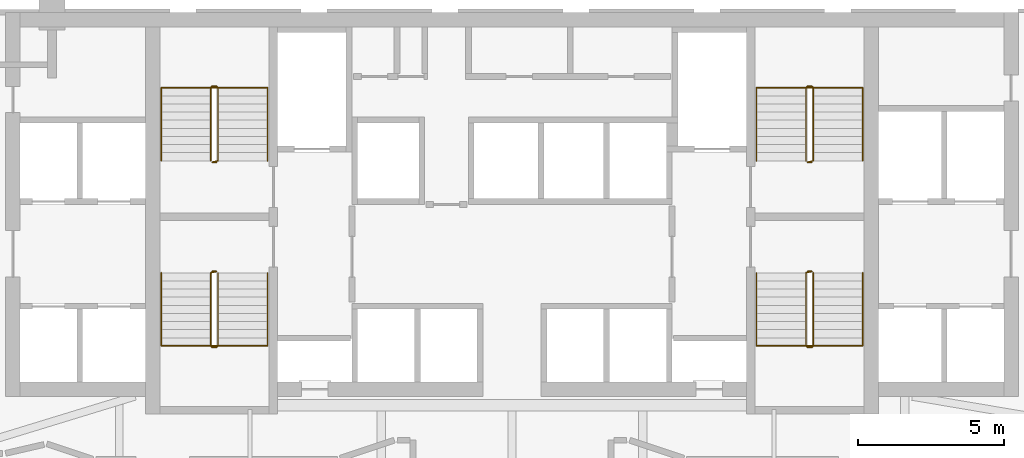
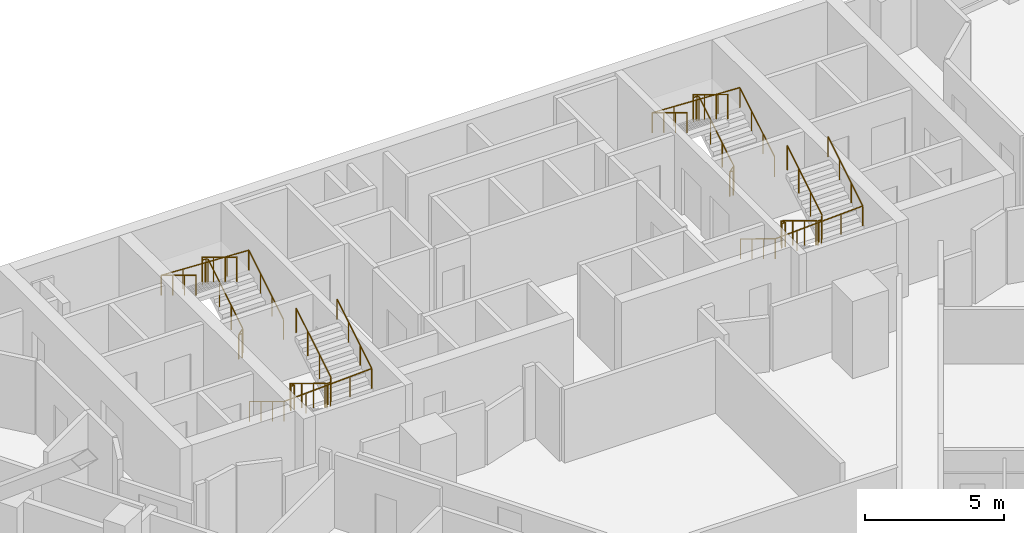
# One storey, part 10 of 10: 8 railings.
"""IFC4 building model written with IfcOpenShell, lengths in metres."""

from ifc_helpers import new_model, si_unit, direction, frame, origin, origin_2d, place, context, subcontext, project, spatial, circle, extrude, material, type_object, element, save


model = new_model("IFC4")

# Units and contexts
model_context = context("Model", 3, precision=1e-05, world=origin(), true_north=direction((0.0, 1.0)))
body_context = subcontext(model_context, "Body", "Model", "MODEL_VIEW")
ifc_project = project(units=[si_unit("LENGTHUNIT", "METRE"), si_unit("AREAUNIT", "SQUARE_METRE"), si_unit("VOLUMEUNIT", "CUBIC_METRE"), si_unit("PLANEANGLEUNIT", "RADIAN"), si_unit("MASSUNIT", "GRAM", prefix="KILO")], contexts=[model_context])

# Site, building, storey
site_placement = place(None, origin())
site = spatial("IfcSite", under=ifc_project, at=site_placement, CompositionType="ELEMENT")
building_placement = place(site_placement, origin())
building = spatial("IfcBuilding", under=site, at=building_placement, Name="Calabash Gate Tower", CompositionType="ELEMENT")
storey_placement = place(building_placement, frame((0.0, 0.0, 91.800048828125)))
storey = spatial("IfcBuildingStorey", under=building, at=storey_placement, Name="L19", CompositionType="ELEMENT", Elevation=91.800048828125)

# Railings
ifc_material_1 = material(Name="Black powder-coated steel balusters", Category="steel")
railing_type_1 = type_object("IfcRailingType", Name="Stair guard RL1100", PredefinedType="GUARDRAIL", material=ifc_material_1)
railing_1_placement = place(storey_placement, frame((-10.14990234375, 13.902587890625, 0.0)))
element("IfcRailing", 1, at=railing_1_placement, inside=storey, type_object=railing_type_1, Name="L19 ST1 stair guard 1", PredefinedType="GUARDRAIL", context=body_context, shape_type="SweptSolid", body=[
    extrude(circle(Radius=0.02392578125, at=origin_2d()), frame((0.0, 0.0, 1.076171875), z_axis=(-1.0, 0.0, 0.0), x_axis=(0.0, -1.0, 0.0)), (0.0, 0.0, 1.0), 0.150146484375),
    extrude(circle(Radius=0.02392578125, at=origin_2d()), frame((-0.150146484375, 0.0, 1.076171875), z_axis=(0.748514443355, 0.187357095101, 0.636100186295), x_axis=(-0.242814311512, 0.970072785993, 0.0)), (0.0, 0.0, 1.0), 0.26708984375),
    extrude(circle(Radius=0.02392578125, at=origin_2d()), frame((0.0498046875, 0.050048828125, 1.24609375), z_axis=(0.0, 0.853956361026, 0.520344629514), x_axis=(-1.0, 0.0, 0.0)), (0.0, 0.0, 1.0), 2.9404296875),
    extrude(circle(Radius=0.02392578125, at=origin_2d()), frame((0.0498046875, 2.56103515625, 2.77587890625), z_axis=(-0.705375805398, 0.708833529934, 0.0), x_axis=(-0.708833529934, -0.705375805398, 0.0)), (0.0, 0.0, 1.0), 0.070556640625),
    extrude(circle(Radius=0.02392578125, at=origin_2d()), frame((0.0, 2.611083984375, 2.77587890625), z_axis=(-1.0, 0.0, 0.0), x_axis=(0.0, -1.0, 0.0)), (0.0, 0.0, 1.0), 0.150146484375),
    extrude(circle(Radius=0.02392578125, at=origin_2d()), frame((-0.150146484375, 2.611083984375, 2.77587890625), z_axis=(-0.271895245746, -0.271895245746, 0.923117517265), x_axis=(0.707106781187, -0.707106781187, 0.0)), (0.0, 0.0, 1.0), 0.18408203125),
    extrude(circle(Radius=0.02392578125, at=origin_2d()), frame((-0.2001953125, 2.56103515625, 2.94580078125), z_axis=(0.0, -0.853956361026, 0.520344629514), x_axis=(1.0, 0.0, 0.0)), (0.0, 0.0, 1.0), 2.9404296875),
    extrude(circle(Radius=0.02099609375, at=origin_2d()), origin(), (0.0, 0.0, 1.0), 1.052001953125),
    extrude(circle(Radius=0.02099609375, at=origin_2d()), frame((-0.150146484375, 0.0, 0.0)), (0.0, 0.0, 1.0), 1.052001953125),
    extrude(circle(Radius=0.02099609375, at=origin_2d()), frame((0.0498046875, 0.050048828125, 0.169921875)), (0.0, 0.0, 1.0), 1.052001953125),
    extrude(circle(Radius=0.02099609375, at=origin_2d()), frame((0.0498046875, 0.886962890625, 0.679931640625)), (0.0, 0.0, 1.0), 1.052001953125),
    extrude(circle(Radius=0.02099609375, at=origin_2d()), frame((0.0498046875, 1.72412109375, 1.18994140625)), (0.0, 0.0, 1.0), 1.052001953125),
    extrude(circle(Radius=0.02099609375, at=origin_2d()), frame((0.0498046875, 2.56103515625, 1.699951171875)), (0.0, 0.0, 1.0), 1.052001953125),
    extrude(circle(Radius=0.02099609375, at=origin_2d()), frame((0.0, 2.611083984375, 1.699951171875)), (0.0, 0.0, 1.0), 1.052001953125),
    extrude(circle(Radius=0.02099609375, at=origin_2d()), frame((-0.150146484375, 2.611083984375, 1.699951171875)), (0.0, 0.0, 1.0), 1.052001953125),
    extrude(circle(Radius=0.02099609375, at=origin_2d()), frame((-0.2001953125, 2.56103515625, 1.869873046875)), (0.0, 0.0, 1.0), 1.052001953125),
    extrude(circle(Radius=0.02099609375, at=origin_2d()), frame((-0.2001953125, 1.72412109375, 2.3798828125)), (0.0, 0.0, 1.0), 1.052001953125),
    extrude(circle(Radius=0.02099609375, at=origin_2d()), frame((-0.2001953125, 0.886962890625, 2.889892578125)), (0.0, 0.0, 1.0), 1.052001953125),
    extrude(circle(Radius=0.02099609375, at=origin_2d()), frame((-0.2001953125, 0.050048828125, 3.39990234375)), (0.0, 0.0, 1.0), 1.052001953125),
])
railing_2_placement = place(storey_placement, frame((-10.300048828125, 10.152587890625, 0.0)))
element("IfcRailing", 2, at=railing_2_placement, inside=storey, type_object=railing_type_1, Name="L19 ST2 stair guard 1", PredefinedType="GUARDRAIL", context=body_context, shape_type="SweptSolid", body=[
    extrude(circle(Radius=0.02392578125, at=origin_2d()), frame((0.0, 0.0, 1.076171875), z_axis=(1.0, 0.0, 0.0), x_axis=(0.0, 1.0, 0.0)), (0.0, 0.0, 1.0), 0.150146484375),
    extrude(circle(Radius=0.02392578125, at=origin_2d()), frame((0.150146484375, 0.0, 1.076171875), z_axis=(-0.748915913269, -0.187228978317, 0.635665214189), x_axis=(0.242535625036, -0.970142500145, 0.0)), (0.0, 0.0, 1.0), 0.267333984375),
    extrude(circle(Radius=0.02392578125, at=origin_2d()), frame((-0.050048828125, -0.050048828125, 1.24609375), z_axis=(0.0, -0.853956361026, 0.520344629514), x_axis=(1.0, 0.0, 0.0)), (0.0, 0.0, 1.0), 2.9404296875),
    extrude(circle(Radius=0.02392578125, at=origin_2d()), frame((-0.050048828125, -2.56103515625, 2.77587890625), z_axis=(0.707106781187, -0.707106781187, 0.0), x_axis=(0.707106781187, 0.707106781187, 0.0)), (0.0, 0.0, 1.0), 0.07080078125),
    extrude(circle(Radius=0.02392578125, at=origin_2d()), frame((0.0, -2.611083984375, 2.77587890625), z_axis=(1.0, 0.0, 0.0), x_axis=(0.0, 1.0, 0.0)), (0.0, 0.0, 1.0), 0.150146484375),
    extrude(circle(Radius=0.02392578125, at=origin_2d()), frame((0.150146484375, -2.611083984375, 2.77587890625), z_axis=(0.270666314514, 0.271993110173, 0.92344977893), x_axis=(-0.708833529934, 0.705375805398, 0.0)), (0.0, 0.0, 1.0), 0.18408203125),
    extrude(circle(Radius=0.02392578125, at=origin_2d()), frame((0.199951171875, -2.56103515625, 2.94580078125), z_axis=(0.0, 0.853956361026, 0.520344629514), x_axis=(-1.0, 0.0, 0.0)), (0.0, 0.0, 1.0), 2.9404296875),
    extrude(circle(Radius=0.02099609375, at=origin_2d()), origin(), (0.0, 0.0, 1.0), 1.052001953125),
    extrude(circle(Radius=0.02099609375, at=origin_2d()), frame((0.150146484375, 0.0, 0.0)), (0.0, 0.0, 1.0), 1.052001953125),
    extrude(circle(Radius=0.02099609375, at=origin_2d()), frame((-0.050048828125, -0.050048828125, 0.169921875)), (0.0, 0.0, 1.0), 1.052001953125),
    extrude(circle(Radius=0.02099609375, at=origin_2d()), frame((-0.050048828125, -0.886962890625, 0.679931640625)), (0.0, 0.0, 1.0), 1.052001953125),
    extrude(circle(Radius=0.02099609375, at=origin_2d()), frame((-0.050048828125, -1.72412109375, 1.18994140625)), (0.0, 0.0, 1.0), 1.052001953125),
    extrude(circle(Radius=0.02099609375, at=origin_2d()), frame((-0.050048828125, -2.56103515625, 1.699951171875)), (0.0, 0.0, 1.0), 1.052001953125),
    extrude(circle(Radius=0.02099609375, at=origin_2d()), frame((0.0, -2.611083984375, 1.699951171875)), (0.0, 0.0, 1.0), 1.052001953125),
    extrude(circle(Radius=0.02099609375, at=origin_2d()), frame((0.150146484375, -2.611083984375, 1.699951171875)), (0.0, 0.0, 1.0), 1.052001953125),
    extrude(circle(Radius=0.02099609375, at=origin_2d()), frame((0.199951171875, -2.56103515625, 1.869873046875)), (0.0, 0.0, 1.0), 1.052001953125),
    extrude(circle(Radius=0.02099609375, at=origin_2d()), frame((0.199951171875, -1.72412109375, 2.3798828125)), (0.0, 0.0, 1.0), 1.052001953125),
    extrude(circle(Radius=0.02099609375, at=origin_2d()), frame((0.199951171875, -0.886962890625, 2.889892578125)), (0.0, 0.0, 1.0), 1.052001953125),
    extrude(circle(Radius=0.02099609375, at=origin_2d()), frame((0.199951171875, -0.050048828125, 3.39990234375)), (0.0, 0.0, 1.0), 1.052001953125),
])
railing_3_placement = place(storey_placement, frame((10.300048828125, 13.902587890625, 0.0)))
element("IfcRailing", 3, at=railing_3_placement, inside=storey, type_object=railing_type_1, Name="L19 ST3 stair guard 1", PredefinedType="GUARDRAIL", context=body_context, shape_type="SweptSolid", body=[
    extrude(circle(Radius=0.02392578125, at=origin_2d()), frame((0.0, 0.0, 1.076171875), z_axis=(-1.0, 0.0, 0.0), x_axis=(0.0, -1.0, 0.0)), (0.0, 0.0, 1.0), 0.150146484375),
    extrude(circle(Radius=0.02392578125, at=origin_2d()), frame((-0.150146484375, 0.0, 1.076171875), z_axis=(0.748915913269, 0.187228978317, 0.635665214189), x_axis=(-0.242535625036, 0.970142500145, 0.0)), (0.0, 0.0, 1.0), 0.267333984375),
    extrude(circle(Radius=0.02392578125, at=origin_2d()), frame((0.050048828125, 0.050048828125, 1.24609375), z_axis=(0.0, 0.853956361026, 0.520344629514), x_axis=(-1.0, 0.0, 0.0)), (0.0, 0.0, 1.0), 2.9404296875),
    extrude(circle(Radius=0.02392578125, at=origin_2d()), frame((0.050048828125, 2.56103515625, 2.77587890625), z_axis=(-0.707106781187, 0.707106781187, 0.0), x_axis=(-0.707106781187, -0.707106781187, 0.0)), (0.0, 0.0, 1.0), 0.07080078125),
    extrude(circle(Radius=0.02392578125, at=origin_2d()), frame((0.0, 2.611083984375, 2.77587890625), z_axis=(-1.0, 0.0, 0.0), x_axis=(0.0, -1.0, 0.0)), (0.0, 0.0, 1.0), 0.150146484375),
    extrude(circle(Radius=0.02392578125, at=origin_2d()), frame((-0.150146484375, 2.611083984375, 2.77587890625), z_axis=(-0.270666314514, -0.271993110173, 0.92344977893), x_axis=(0.708833529934, -0.705375805398, 0.0)), (0.0, 0.0, 1.0), 0.18408203125),
    extrude(circle(Radius=0.02392578125, at=origin_2d()), frame((-0.199951171875, 2.56103515625, 2.94580078125), z_axis=(0.0, -0.853956361026, 0.520344629514), x_axis=(1.0, 0.0, 0.0)), (0.0, 0.0, 1.0), 2.9404296875),
    extrude(circle(Radius=0.02099609375, at=origin_2d()), origin(), (0.0, 0.0, 1.0), 1.052001953125),
    extrude(circle(Radius=0.02099609375, at=origin_2d()), frame((-0.150146484375, 0.0, 0.0)), (0.0, 0.0, 1.0), 1.052001953125),
    extrude(circle(Radius=0.02099609375, at=origin_2d()), frame((0.050048828125, 0.050048828125, 0.169921875)), (0.0, 0.0, 1.0), 1.052001953125),
    extrude(circle(Radius=0.02099609375, at=origin_2d()), frame((0.050048828125, 0.886962890625, 0.679931640625)), (0.0, 0.0, 1.0), 1.052001953125),
    extrude(circle(Radius=0.02099609375, at=origin_2d()), frame((0.050048828125, 1.72412109375, 1.18994140625)), (0.0, 0.0, 1.0), 1.052001953125),
    extrude(circle(Radius=0.02099609375, at=origin_2d()), frame((0.050048828125, 2.56103515625, 1.699951171875)), (0.0, 0.0, 1.0), 1.052001953125),
    extrude(circle(Radius=0.02099609375, at=origin_2d()), frame((0.0, 2.611083984375, 1.699951171875)), (0.0, 0.0, 1.0), 1.052001953125),
    extrude(circle(Radius=0.02099609375, at=origin_2d()), frame((-0.150146484375, 2.611083984375, 1.699951171875)), (0.0, 0.0, 1.0), 1.052001953125),
    extrude(circle(Radius=0.02099609375, at=origin_2d()), frame((-0.199951171875, 2.56103515625, 1.869873046875)), (0.0, 0.0, 1.0), 1.052001953125),
    extrude(circle(Radius=0.02099609375, at=origin_2d()), frame((-0.199951171875, 1.72412109375, 2.3798828125)), (0.0, 0.0, 1.0), 1.052001953125),
    extrude(circle(Radius=0.02099609375, at=origin_2d()), frame((-0.199951171875, 0.886962890625, 2.889892578125)), (0.0, 0.0, 1.0), 1.052001953125),
    extrude(circle(Radius=0.02099609375, at=origin_2d()), frame((-0.199951171875, 0.050048828125, 3.39990234375)), (0.0, 0.0, 1.0), 1.052001953125),
])
railing_4_placement = place(storey_placement, frame((10.14990234375, 10.152587890625, 0.0)))
element("IfcRailing", 4, at=railing_4_placement, inside=storey, type_object=railing_type_1, Name="L19 ST4 stair guard 1", PredefinedType="GUARDRAIL", context=body_context, shape_type="SweptSolid", body=[
    extrude(circle(Radius=0.02392578125, at=origin_2d()), frame((0.0, 0.0, 1.076171875), z_axis=(1.0, 0.0, 0.0), x_axis=(0.0, 1.0, 0.0)), (0.0, 0.0, 1.0), 0.150146484375),
    extrude(circle(Radius=0.02392578125, at=origin_2d()), frame((0.150146484375, 0.0, 1.076171875), z_axis=(-0.748514443355, -0.187357095101, 0.636100186295), x_axis=(0.242814311512, -0.970072785993, 0.0)), (0.0, 0.0, 1.0), 0.26708984375),
    extrude(circle(Radius=0.02392578125, at=origin_2d()), frame((-0.0498046875, -0.050048828125, 1.24609375), z_axis=(0.0, -0.853956361026, 0.520344629514), x_axis=(1.0, 0.0, 0.0)), (0.0, 0.0, 1.0), 2.9404296875),
    extrude(circle(Radius=0.02392578125, at=origin_2d()), frame((-0.0498046875, -2.56103515625, 2.77587890625), z_axis=(0.705375805398, -0.708833529934, 0.0), x_axis=(0.708833529934, 0.705375805398, 0.0)), (0.0, 0.0, 1.0), 0.070556640625),
    extrude(circle(Radius=0.02392578125, at=origin_2d()), frame((0.0, -2.611083984375, 2.77587890625), z_axis=(1.0, 0.0, 0.0), x_axis=(0.0, 1.0, 0.0)), (0.0, 0.0, 1.0), 0.150146484375),
    extrude(circle(Radius=0.02392578125, at=origin_2d()), frame((0.150146484375, -2.611083984375, 2.77587890625), z_axis=(0.271895245746, 0.271895245746, 0.923117517265), x_axis=(-0.707106781187, 0.707106781187, 0.0)), (0.0, 0.0, 1.0), 0.18408203125),
    extrude(circle(Radius=0.02392578125, at=origin_2d()), frame((0.2001953125, -2.56103515625, 2.94580078125), z_axis=(0.0, 0.853956361026, 0.520344629514), x_axis=(-1.0, 0.0, 0.0)), (0.0, 0.0, 1.0), 2.9404296875),
    extrude(circle(Radius=0.02099609375, at=origin_2d()), origin(), (0.0, 0.0, 1.0), 1.052001953125),
    extrude(circle(Radius=0.02099609375, at=origin_2d()), frame((0.150146484375, 0.0, 0.0)), (0.0, 0.0, 1.0), 1.052001953125),
    extrude(circle(Radius=0.02099609375, at=origin_2d()), frame((-0.0498046875, -0.050048828125, 0.169921875)), (0.0, 0.0, 1.0), 1.052001953125),
    extrude(circle(Radius=0.02099609375, at=origin_2d()), frame((-0.0498046875, -0.886962890625, 0.679931640625)), (0.0, 0.0, 1.0), 1.052001953125),
    extrude(circle(Radius=0.02099609375, at=origin_2d()), frame((-0.0498046875, -1.72412109375, 1.18994140625)), (0.0, 0.0, 1.0), 1.052001953125),
    extrude(circle(Radius=0.02099609375, at=origin_2d()), frame((-0.0498046875, -2.56103515625, 1.699951171875)), (0.0, 0.0, 1.0), 1.052001953125),
    extrude(circle(Radius=0.02099609375, at=origin_2d()), frame((0.0, -2.611083984375, 1.699951171875)), (0.0, 0.0, 1.0), 1.052001953125),
    extrude(circle(Radius=0.02099609375, at=origin_2d()), frame((0.150146484375, -2.611083984375, 1.699951171875)), (0.0, 0.0, 1.0), 1.052001953125),
    extrude(circle(Radius=0.02099609375, at=origin_2d()), frame((0.2001953125, -2.56103515625, 1.869873046875)), (0.0, 0.0, 1.0), 1.052001953125),
    extrude(circle(Radius=0.02099609375, at=origin_2d()), frame((0.2001953125, -1.72412109375, 2.3798828125)), (0.0, 0.0, 1.0), 1.052001953125),
    extrude(circle(Radius=0.02099609375, at=origin_2d()), frame((0.2001953125, -0.886962890625, 2.889892578125)), (0.0, 0.0, 1.0), 1.052001953125),
    extrude(circle(Radius=0.02099609375, at=origin_2d()), frame((0.2001953125, -0.050048828125, 3.39990234375)), (0.0, 0.0, 1.0), 1.052001953125),
])
ifc_material_2 = material(Name="Black powder-coated steel tube 48 mm", Category="steel")
railing_type_2 = type_object("IfcRailingType", Name="Stair handrail RL900", PredefinedType="HANDRAIL", material=ifc_material_2)
railing_5_placement = place(storey_placement, frame((-8.39990234375, 13.95263671875, 0.169921875)))
element("IfcRailing", 5, at=railing_5_placement, inside=storey, type_object=railing_type_2, Name="L19 ST1 stair handrail 1", PredefinedType="HANDRAIL", context=body_context, shape_type="SweptSolid", body=[
    extrude(circle(Radius=0.02392578125, at=origin_2d()), frame((0.0, 0.0, 0.8759765625), z_axis=(0.0, 0.853956361026, 0.520344629514), x_axis=(-1.0, 0.0, 0.0)), (0.0, 0.0, 1.0), 2.9404296875),
    extrude(circle(Radius=0.02392578125, at=origin_2d()), frame((0.0, 2.510986328125, 2.40576171875), z_axis=(-0.998918210324, 0.0, 0.046501710547), x_axis=(0.0, -1.0, 0.0)), (0.0, 0.0, 1.0), 3.654052734375),
    extrude(circle(Radius=0.02392578125, at=origin_2d()), frame((-3.650146484375, 2.510986328125, 2.57568359375), z_axis=(0.0, -0.853956361026, 0.520344629514), x_axis=(1.0, 0.0, 0.0)), (0.0, 0.0, 1.0), 2.9404296875),
    extrude(circle(Radius=0.02099609375, at=origin_2d()), origin(), (0.0, 0.0, 1.0), 0.851806640625),
    extrude(circle(Radius=0.02099609375, at=origin_2d()), frame((0.0, 0.8369140625, 0.510009765625)), (0.0, 0.0, 1.0), 0.851806640625),
    extrude(circle(Radius=0.02099609375, at=origin_2d()), frame((0.0, 1.674072265625, 1.02001953125)), (0.0, 0.0, 1.0), 0.851806640625),
    extrude(circle(Radius=0.02099609375, at=origin_2d()), frame((0.0, 2.510986328125, 1.530029296875)), (0.0, 0.0, 1.0), 0.851806640625),
    extrude(circle(Radius=0.02099609375, at=origin_2d()), frame((-0.91259765625, 2.510986328125, 1.572509765625)), (0.0, 0.0, 1.0), 0.851806640625),
    extrude(circle(Radius=0.02099609375, at=origin_2d()), frame((-1.8251953125, 2.510986328125, 1.614990234375)), (0.0, 0.0, 1.0), 0.851806640625),
    extrude(circle(Radius=0.02099609375, at=origin_2d()), frame((-2.737548828125, 2.510986328125, 1.657470703125)), (0.0, 0.0, 1.0), 0.851806640625),
    extrude(circle(Radius=0.02099609375, at=origin_2d()), frame((-3.650146484375, 2.510986328125, 1.699951171875)), (0.0, 0.0, 1.0), 0.851806640625),
    extrude(circle(Radius=0.02099609375, at=origin_2d()), frame((-3.650146484375, 1.674072265625, 2.2099609375)), (0.0, 0.0, 1.0), 0.851806640625),
    extrude(circle(Radius=0.02099609375, at=origin_2d()), frame((-3.650146484375, 0.8369140625, 2.719970703125)), (0.0, 0.0, 1.0), 0.851806640625),
    extrude(circle(Radius=0.02099609375, at=origin_2d()), frame((-3.650146484375, 0.0, 3.22998046875)), (0.0, 0.0, 1.0), 0.851806640625),
])
railing_6_placement = place(storey_placement, frame((-12.050048828125, 10.1025390625, 0.169921875)))
element("IfcRailing", 6, at=railing_6_placement, inside=storey, type_object=railing_type_2, Name="L19 ST2 stair handrail 1", PredefinedType="HANDRAIL", context=body_context, shape_type="SweptSolid", body=[
    extrude(circle(Radius=0.02392578125, at=origin_2d()), frame((0.0, 0.0, 0.8759765625), z_axis=(0.0, -0.853956361026, 0.520344629514), x_axis=(1.0, 0.0, 0.0)), (0.0, 0.0, 1.0), 2.9404296875),
    extrude(circle(Radius=0.02392578125, at=origin_2d()), frame((0.0, -2.510986328125, 2.40576171875), z_axis=(0.998918210324, 0.0, 0.046501710547), x_axis=(0.0, 1.0, 0.0)), (0.0, 0.0, 1.0), 3.654052734375),
    extrude(circle(Radius=0.02392578125, at=origin_2d()), frame((3.650146484375, -2.510986328125, 2.57568359375), z_axis=(0.0, 0.853956361026, 0.520344629514), x_axis=(-1.0, 0.0, 0.0)), (0.0, 0.0, 1.0), 2.9404296875),
    extrude(circle(Radius=0.02099609375, at=origin_2d()), origin(), (0.0, 0.0, 1.0), 0.851806640625),
    extrude(circle(Radius=0.02099609375, at=origin_2d()), frame((0.0, -0.8369140625, 0.510009765625)), (0.0, 0.0, 1.0), 0.851806640625),
    extrude(circle(Radius=0.02099609375, at=origin_2d()), frame((0.0, -1.674072265625, 1.02001953125)), (0.0, 0.0, 1.0), 0.851806640625),
    extrude(circle(Radius=0.02099609375, at=origin_2d()), frame((0.0, -2.510986328125, 1.530029296875)), (0.0, 0.0, 1.0), 0.851806640625),
    extrude(circle(Radius=0.02099609375, at=origin_2d()), frame((0.91259765625, -2.510986328125, 1.572509765625)), (0.0, 0.0, 1.0), 0.851806640625),
    extrude(circle(Radius=0.02099609375, at=origin_2d()), frame((1.8251953125, -2.510986328125, 1.614990234375)), (0.0, 0.0, 1.0), 0.851806640625),
    extrude(circle(Radius=0.02099609375, at=origin_2d()), frame((2.737548828125, -2.510986328125, 1.657470703125)), (0.0, 0.0, 1.0), 0.851806640625),
    extrude(circle(Radius=0.02099609375, at=origin_2d()), frame((3.650146484375, -2.510986328125, 1.699951171875)), (0.0, 0.0, 1.0), 0.851806640625),
    extrude(circle(Radius=0.02099609375, at=origin_2d()), frame((3.650146484375, -1.674072265625, 2.2099609375)), (0.0, 0.0, 1.0), 0.851806640625),
    extrude(circle(Radius=0.02099609375, at=origin_2d()), frame((3.650146484375, -0.8369140625, 2.719970703125)), (0.0, 0.0, 1.0), 0.851806640625),
    extrude(circle(Radius=0.02099609375, at=origin_2d()), frame((3.650146484375, 0.0, 3.22998046875)), (0.0, 0.0, 1.0), 0.851806640625),
])
railing_7_placement = place(storey_placement, frame((12.050048828125, 13.95263671875, 0.169921875)))
element("IfcRailing", 7, at=railing_7_placement, inside=storey, type_object=railing_type_2, Name="L19 ST3 stair handrail 1", PredefinedType="HANDRAIL", context=body_context, shape_type="SweptSolid", body=[
    extrude(circle(Radius=0.02392578125, at=origin_2d()), frame((0.0, 0.0, 0.8759765625), z_axis=(0.0, 0.853956361026, 0.520344629514), x_axis=(-1.0, 0.0, 0.0)), (0.0, 0.0, 1.0), 2.9404296875),
    extrude(circle(Radius=0.02392578125, at=origin_2d()), frame((0.0, 2.510986328125, 2.40576171875), z_axis=(-0.998918210324, 0.0, 0.046501710547), x_axis=(0.0, -1.0, 0.0)), (0.0, 0.0, 1.0), 3.654052734375),
    extrude(circle(Radius=0.02392578125, at=origin_2d()), frame((-3.650146484375, 2.510986328125, 2.57568359375), z_axis=(0.0, -0.853956361026, 0.520344629514), x_axis=(1.0, 0.0, 0.0)), (0.0, 0.0, 1.0), 2.9404296875),
    extrude(circle(Radius=0.02099609375, at=origin_2d()), origin(), (0.0, 0.0, 1.0), 0.851806640625),
    extrude(circle(Radius=0.02099609375, at=origin_2d()), frame((0.0, 0.8369140625, 0.510009765625)), (0.0, 0.0, 1.0), 0.851806640625),
    extrude(circle(Radius=0.02099609375, at=origin_2d()), frame((0.0, 1.674072265625, 1.02001953125)), (0.0, 0.0, 1.0), 0.851806640625),
    extrude(circle(Radius=0.02099609375, at=origin_2d()), frame((0.0, 2.510986328125, 1.530029296875)), (0.0, 0.0, 1.0), 0.851806640625),
    extrude(circle(Radius=0.02099609375, at=origin_2d()), frame((-0.91259765625, 2.510986328125, 1.572509765625)), (0.0, 0.0, 1.0), 0.851806640625),
    extrude(circle(Radius=0.02099609375, at=origin_2d()), frame((-1.8251953125, 2.510986328125, 1.614990234375)), (0.0, 0.0, 1.0), 0.851806640625),
    extrude(circle(Radius=0.02099609375, at=origin_2d()), frame((-2.737548828125, 2.510986328125, 1.657470703125)), (0.0, 0.0, 1.0), 0.851806640625),
    extrude(circle(Radius=0.02099609375, at=origin_2d()), frame((-3.650146484375, 2.510986328125, 1.699951171875)), (0.0, 0.0, 1.0), 0.851806640625),
    extrude(circle(Radius=0.02099609375, at=origin_2d()), frame((-3.650146484375, 1.674072265625, 2.2099609375)), (0.0, 0.0, 1.0), 0.851806640625),
    extrude(circle(Radius=0.02099609375, at=origin_2d()), frame((-3.650146484375, 0.8369140625, 2.719970703125)), (0.0, 0.0, 1.0), 0.851806640625),
    extrude(circle(Radius=0.02099609375, at=origin_2d()), frame((-3.650146484375, 0.0, 3.22998046875)), (0.0, 0.0, 1.0), 0.851806640625),
])
railing_8_placement = place(storey_placement, frame((8.39990234375, 10.1025390625, 0.169921875)))
element("IfcRailing", 8, at=railing_8_placement, inside=storey, type_object=railing_type_2, Name="L19 ST4 stair handrail 1", PredefinedType="HANDRAIL", context=body_context, shape_type="SweptSolid", body=[
    extrude(circle(Radius=0.02392578125, at=origin_2d()), frame((0.0, 0.0, 0.8759765625), z_axis=(0.0, -0.853956361026, 0.520344629514), x_axis=(1.0, 0.0, 0.0)), (0.0, 0.0, 1.0), 2.9404296875),
    extrude(circle(Radius=0.02392578125, at=origin_2d()), frame((0.0, -2.510986328125, 2.40576171875), z_axis=(0.998918210324, 0.0, 0.046501710547), x_axis=(0.0, 1.0, 0.0)), (0.0, 0.0, 1.0), 3.654052734375),
    extrude(circle(Radius=0.02392578125, at=origin_2d()), frame((3.650146484375, -2.510986328125, 2.57568359375), z_axis=(0.0, 0.853956361026, 0.520344629514), x_axis=(-1.0, 0.0, 0.0)), (0.0, 0.0, 1.0), 2.9404296875),
    extrude(circle(Radius=0.02099609375, at=origin_2d()), origin(), (0.0, 0.0, 1.0), 0.851806640625),
    extrude(circle(Radius=0.02099609375, at=origin_2d()), frame((0.0, -0.8369140625, 0.510009765625)), (0.0, 0.0, 1.0), 0.851806640625),
    extrude(circle(Radius=0.02099609375, at=origin_2d()), frame((0.0, -1.674072265625, 1.02001953125)), (0.0, 0.0, 1.0), 0.851806640625),
    extrude(circle(Radius=0.02099609375, at=origin_2d()), frame((0.0, -2.510986328125, 1.530029296875)), (0.0, 0.0, 1.0), 0.851806640625),
    extrude(circle(Radius=0.02099609375, at=origin_2d()), frame((0.91259765625, -2.510986328125, 1.572509765625)), (0.0, 0.0, 1.0), 0.851806640625),
    extrude(circle(Radius=0.02099609375, at=origin_2d()), frame((1.8251953125, -2.510986328125, 1.614990234375)), (0.0, 0.0, 1.0), 0.851806640625),
    extrude(circle(Radius=0.02099609375, at=origin_2d()), frame((2.737548828125, -2.510986328125, 1.657470703125)), (0.0, 0.0, 1.0), 0.851806640625),
    extrude(circle(Radius=0.02099609375, at=origin_2d()), frame((3.650146484375, -2.510986328125, 1.699951171875)), (0.0, 0.0, 1.0), 0.851806640625),
    extrude(circle(Radius=0.02099609375, at=origin_2d()), frame((3.650146484375, -1.674072265625, 2.2099609375)), (0.0, 0.0, 1.0), 0.851806640625),
    extrude(circle(Radius=0.02099609375, at=origin_2d()), frame((3.650146484375, -0.8369140625, 2.719970703125)), (0.0, 0.0, 1.0), 0.851806640625),
    extrude(circle(Radius=0.02099609375, at=origin_2d()), frame((3.650146484375, 0.0, 3.22998046875)), (0.0, 0.0, 1.0), 0.851806640625),
])

save(model, "model.ifc")
